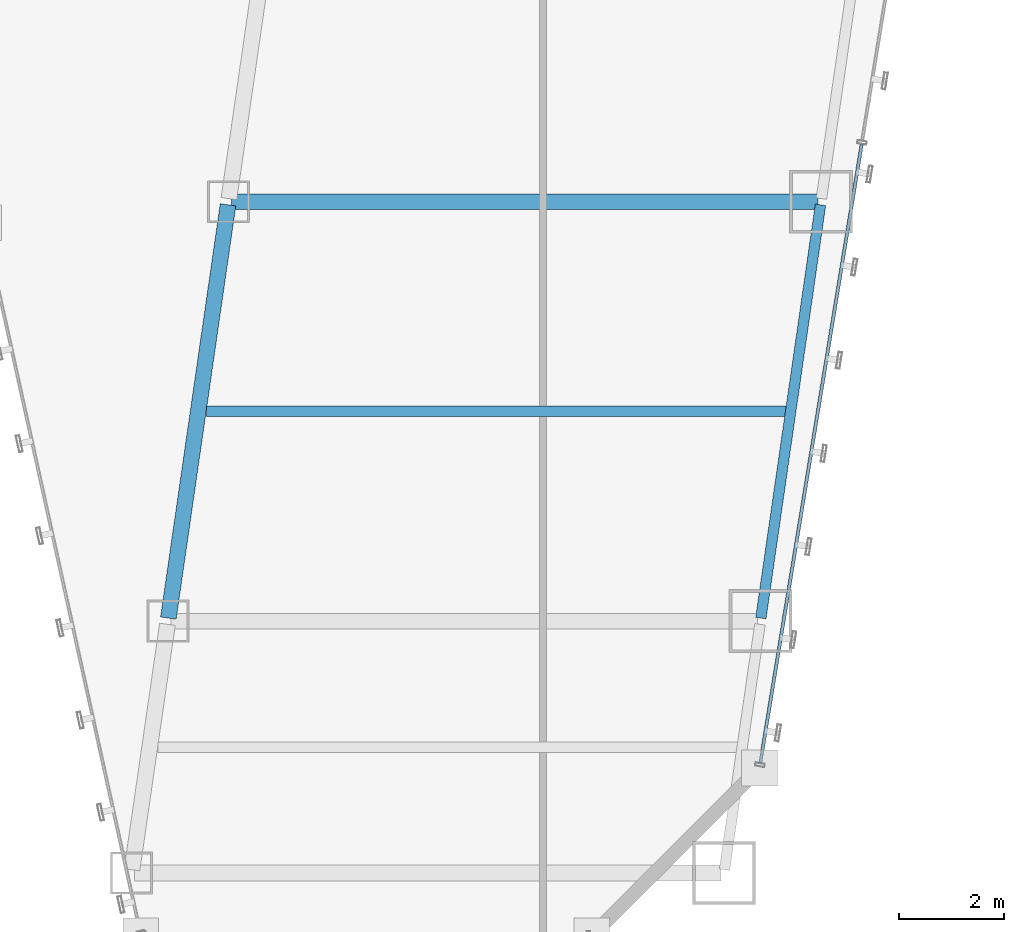
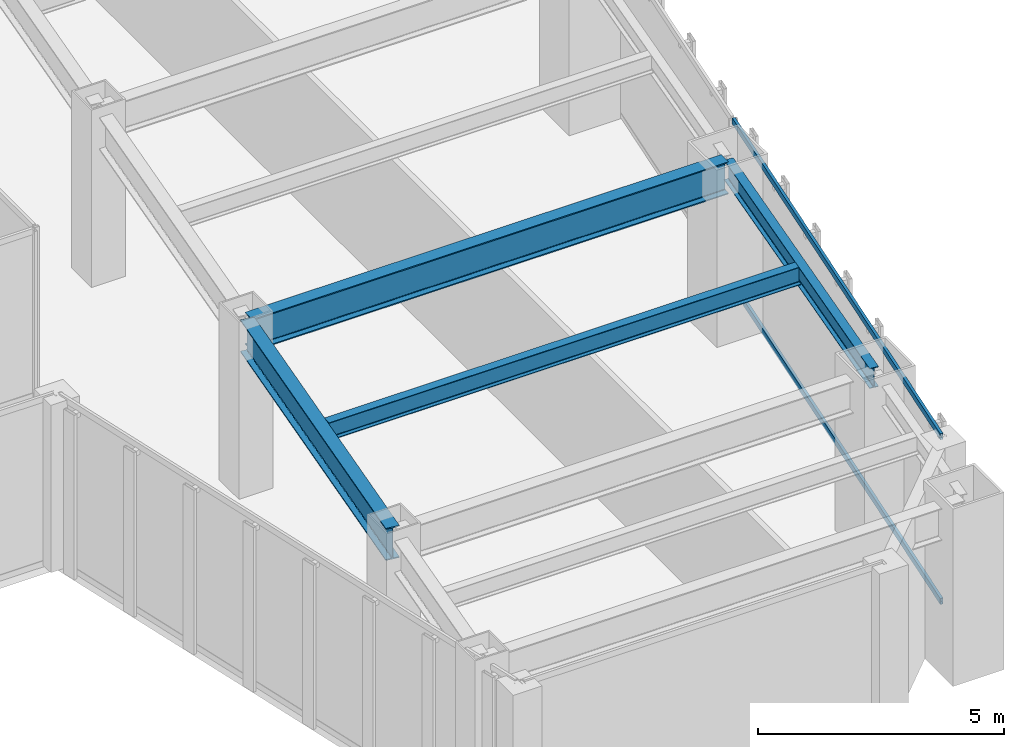
# One storey, part 16 of 47: 4 beams, 2 members, 1 element without a shape of its own.
"""IFC4 building model written with IfcOpenShell, lengths in metres."""

from ifc_helpers import new_model, si_unit, direction, frame, origin, origin_2d, place, context, subcontext, project, spatial, hollow_rectangle, i_section, extrude, material, material_profile, profile_set, type_object, element, aggregate, save


model = new_model("IFC4")

# Units and contexts
model_context = context("Model", 3, precision=1e-05, world=origin(), true_north=direction((0.0, 1.0)))
body_context = subcontext(model_context, "Body", "Model", "MODEL_VIEW")
ifc_project = project(units=[si_unit("LENGTHUNIT", "METRE"), si_unit("AREAUNIT", "SQUARE_METRE"), si_unit("VOLUMEUNIT", "CUBIC_METRE"), si_unit("PLANEANGLEUNIT", "RADIAN"), si_unit("MASSUNIT", "GRAM", prefix="KILO")], contexts=[model_context])

# Site, building, storey
site_placement = place(None, origin())
site = spatial("IfcSite", under=ifc_project, at=site_placement, CompositionType="ELEMENT")
building_placement = place(site_placement, origin())
building = spatial("IfcBuilding", under=site, at=building_placement, Name="Saevonmaru Cultural Tower", CompositionType="ELEMENT")
storey_placement = place(building_placement, frame((0.0, 0.0, 51.60009765625)))
storey = spatial("IfcBuildingStorey", under=building, at=storey_placement, Name="L10", CompositionType="ELEMENT", Elevation=51.60009765625)

# Beams
ifc_material_1 = material(Name="Steel SM420", Category="steel")
ifc_material_profile_1 = material_profile(ifc_material_1, i_section(OverallWidth=0.300048828125, OverallDepth=0.800048828125, WebThickness=0.013916015625, FlangeThickness=0.02587890625, FilletRadius=0.028076171875, at=origin_2d()), Name="H-800x300x14x26")
ifc_profile_set_1 = profile_set([ifc_material_profile_1], Name="Steel SM420")
beam_type_1 = type_object("IfcBeamType", Name="BM-G-H800", PredefinedType="BEAM", material=ifc_profile_set_1)
beam_1_placement = place(storey_placement, frame((36.925537109375, 8.059326171875, 3.75), z_axis=(0.142902032203, 0.989736838353, 0.0), x_axis=(-0.989736838353, 0.142902032203, 0.0)))
element("IfcBeam", 1, at=beam_1_placement, inside=storey, type_object=beam_type_1, Name="L10 East Atrium Girder 2", PredefinedType="BEAM", context=body_context, shape_type="SweptSolid", body=[
    extrude(i_section(OverallWidth=0.300048828125, OverallDepth=0.800048828125, WebThickness=0.013916015625, FlangeThickness=0.02587890625, FilletRadius=0.028076171875, at=origin_2d()), origin(), (0.0, 0.0, 1.0), 7.963134765625),
])
beam_2_placement = place(storey_placement, frame((38.132080078125, 16.0, 3.75), z_axis=(1.0, 0.0, 0.0), x_axis=(0.0, 1.0, 0.0)))
element("IfcBeam", 2, at=beam_2_placement, inside=storey, type_object=beam_type_1, Name="L10 East Wing Transverse Girder 3", PredefinedType="BEAM", context=body_context, shape_type="SweptSolid", body=[
    extrude(i_section(OverallWidth=0.300048828125, OverallDepth=0.800048828125, WebThickness=0.013916015625, FlangeThickness=0.02587890625, FilletRadius=0.028076171875, at=origin_2d()), origin(), (0.0, 0.0, 1.0), 11.179931640625),
])
ifc_material_2 = material(Name="Steel SM355", Category="steel")
ifc_material_profile_2 = material_profile(ifc_material_2, i_section(OverallWidth=0.199951171875, OverallDepth=0.449951171875, WebThickness=0.009033203125, FlangeThickness=0.013916015625, FilletRadius=0.01806640625, at=origin_2d()), Name="H-450x200x9x14")
ifc_profile_set_2 = profile_set([ifc_material_profile_2], Name="Steel SM355")
beam_type_2 = type_object("IfcBeamType", Name="BM-J-H450", PredefinedType="JOIST", material=ifc_profile_set_2)
beam_3_placement = place(storey_placement, frame((37.652587890625, 12.0, 3.9248046875), z_axis=(1.0, 0.0, 0.0), x_axis=(0.0, 1.0, 0.0)))
element("IfcBeam", 3, at=beam_3_placement, inside=storey, type_object=beam_type_2, Name="L10 East Wing Floor Joist 2", PredefinedType="JOIST", context=body_context, shape_type="SweptSolid", body=[
    extrude(i_section(OverallWidth=0.199951171875, OverallDepth=0.449951171875, WebThickness=0.009033203125, FlangeThickness=0.013916015625, FilletRadius=0.01806640625, at=origin_2d()), origin(), (0.0, 0.0, 1.0), 11.08203125),
])
ifc_material_profile_3 = material_profile(ifc_material_2, i_section(OverallWidth=0.199951171875, OverallDepth=0.5, WebThickness=0.010009765625, FlangeThickness=0.01611328125, FilletRadius=0.02001953125, at=origin_2d()), Name="H-500x200x10x16")
ifc_profile_set_3 = profile_set([ifc_material_profile_3], Name="Steel SM355")
beam_type_3 = type_object("IfcBeamType", Name="BM-SP-H500", PredefinedType="SPANDREL", material=ifc_profile_set_3)
beam_4_placement = place(storey_placement, frame((48.2255859375, 8.059326171875, 3.89990234375), z_axis=(0.142871999001, 0.989741174197, 0.0), x_axis=(-0.989741174197, 0.142871999001, 0.0)))
element("IfcBeam", 4, at=beam_4_placement, inside=storey, type_object=beam_type_3, Name="L10 East Splayed Spandrel 2", PredefinedType="SPANDREL", context=body_context, shape_type="SweptSolid", body=[
    extrude(i_section(OverallWidth=0.199951171875, OverallDepth=0.5, WebThickness=0.010009765625, FlangeThickness=0.01611328125, FilletRadius=0.02001953125, at=origin_2d()), origin(), (0.0, 0.0, 1.0), 7.963134765625),
])

# Curtain wall, members
ifc_material_3 = material(Name="Satin Bronze Anodised Aluminium", Category="aluminium")
curtain_wall_type = type_object("IfcCurtainWallType", Name="CW-TYP-A", PredefinedType="NOTDEFINED", material=ifc_material_3)
curtain_wall_placement = place(storey_placement, origin())
curtain_wall = element("IfcCurtainWall", 5, at=curtain_wall_placement, inside=storey, type_object=curtain_wall_type, Name="L10 Unitised Curtain Wall E8", PredefinedType="NOTDEFINED")
ifc_material_profile_4 = material_profile(ifc_material_3, hollow_rectangle(XDim=0.06494140625, YDim=0.14990234375, WallThickness=0.00390625, at=origin_2d()), Name="ALU-TRAN-150x65x4")
ifc_profile_set_4 = profile_set([ifc_material_profile_4], Name="Satin Bronze Anodised Aluminium")
member_type = type_object("IfcMemberType", Name="TR-CW-150x65", PredefinedType="USERDEFINED", material=ifc_profile_set_4)
member_1_placement = place(storey_placement, frame((48.21484375, 5.291259765625, 0.032470703125), z_axis=(0.161724530373, 0.986835941925, 0.0), x_axis=(-0.986835941925, 0.161724530373, 0.0)))
member_1 = element("IfcMember", 6, at=member_1_placement, type_object=member_type, Name="CW-TW-L10-E8 transom 1.1", ObjectType="TRANSOM", PredefinedType="USERDEFINED", context=body_context, shape_type="SweptSolid", body=[
    extrude(hollow_rectangle(XDim=0.06494140625, YDim=0.14990234375, WallThickness=0.00390625, at=origin_2d()), origin(), (0.0, 0.0, 1.0), 11.963623046875),
])
member_2_placement = place(storey_placement, frame((48.21484375, 5.291259765625, 4.117431640625), z_axis=(0.161724530373, 0.986835941925, 0.0), x_axis=(-0.986835941925, 0.161724530373, 0.0)))
member_2 = element("IfcMember", 7, at=member_2_placement, type_object=member_type, Name="CW-TW-L10-E8 transom 1.2", ObjectType="TRANSOM", PredefinedType="USERDEFINED", context=body_context, shape_type="SweptSolid", body=[
    extrude(hollow_rectangle(XDim=0.06494140625, YDim=0.14990234375, WallThickness=0.00390625, at=origin_2d()), origin(), (0.0, 0.0, 1.0), 11.963623046875),
])
aggregate(curtain_wall, [member_1, member_2])

save(model, "model.ifc")
